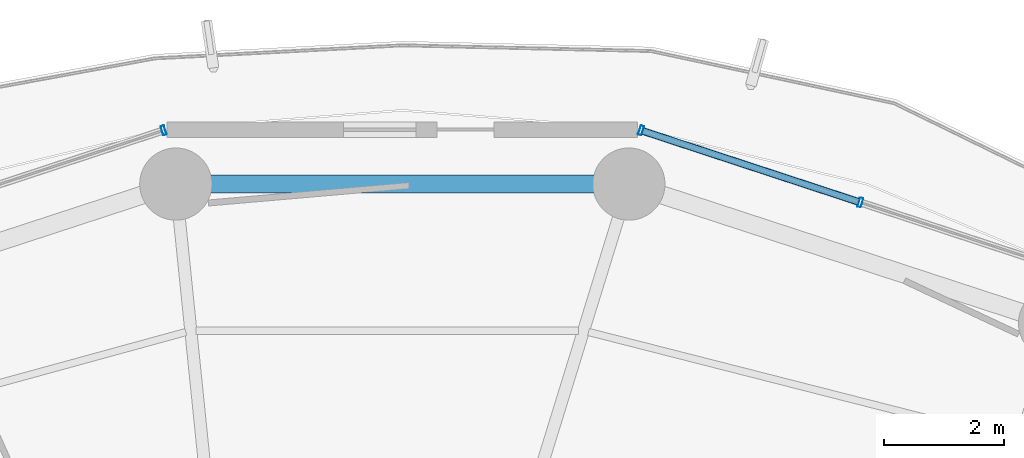
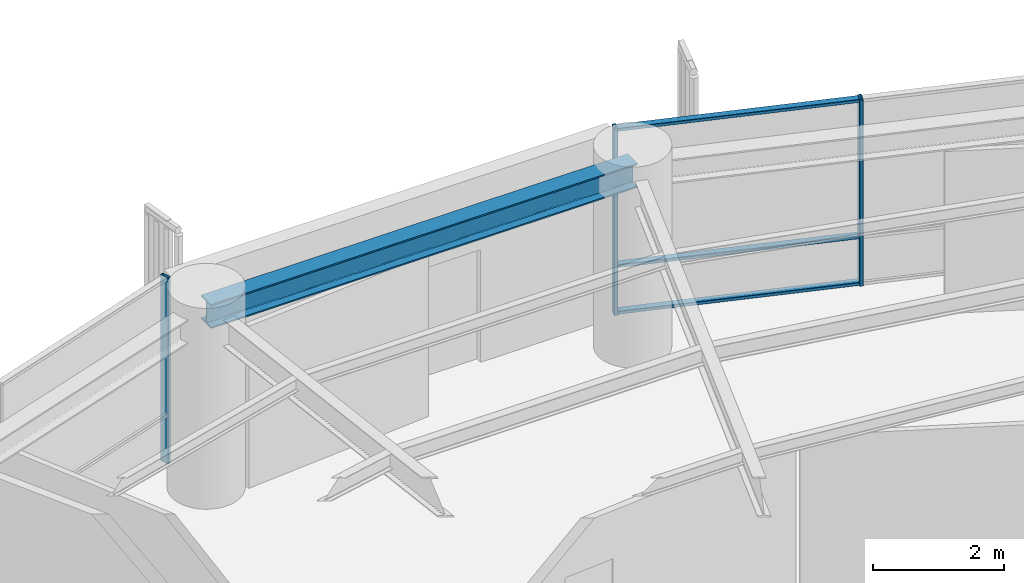
# One storey, part 18 of 28: 6 members, 1 beam, 2 elements without a shape of their own.
"""IFC4 building model written with IfcOpenShell, lengths in metres."""

import ifcopenshell
import ifcopenshell.guid

model = None  # the IFC model being written
_history = None  # IfcOwnerHistory: only IFC2X3 demands one
_inside = {}  # id of a spatial element -> (the spatial element, [elements in it])
_under = {}  # id of a project, library or spatial element -> (it, [spatial elements below it])
_declared = {}  # id of a project -> (the project, [libraries it declares])
_typed = {}  # id of a type object -> (the type object, [elements of that type])
_made_of = {}  # id of a material, layer set ... -> (it, [elements and type objects made of it])


def new_model(schema):
    """Start an empty IFC model of exactly this schema.

    Asked for "IFC4X3", IfcOpenShell would pick the latest addendum, in which some entities
    have other attributes; the version numbers below select the first issue.
    IFC2X3 requires an IfcOwnerHistory on every rooted entity: one is made here for all.
    """
    global model, _history
    if schema == "IFC4X3":
        model = ifcopenshell.file(schema_version=(4, 3, 0, 0))
    else:
        model = ifcopenshell.file(schema=schema)
    _inside.clear()
    _under.clear()
    _declared.clear()
    _typed.clear()
    _made_of.clear()
    _history = None
    if model.schema == "IFC2X3":
        org = make("IfcOrganization", Name="unknown")
        user = make(
            "IfcPersonAndOrganization",
            ThePerson=make("IfcPerson", FamilyName="unknown"),
            TheOrganization=org,
        )
        app = make(
            "IfcApplication",
            ApplicationDeveloper=org,
            Version="unknown",
            ApplicationFullName="unknown",
            ApplicationIdentifier="unknown",
        )
        _history = make(
            "IfcOwnerHistory",
            OwningUser=user,
            OwningApplication=app,
            ChangeAction="ADDED",
            CreationDate=0,
        )
    return model


def make(cls, **values):
    """One entity of the class cls with the attributes given. An attribute that is None is left unset."""
    return model.create_entity(
        cls, **{name: value for name, value in values.items() if value is not None}
    )


def rooted(cls, **values):
    """An entity with a GlobalId (a new one), such as an element, a storey or a relation."""
    return make(cls, GlobalId=ifcopenshell.guid.new(), OwnerHistory=_history, **values)


def si_unit(unit_type, name, prefix=None):
    """IfcSIUnit, for example si_unit("LENGTHUNIT", "METRE", prefix="MILLI")."""
    return make("IfcSIUnit", UnitType=unit_type, Prefix=prefix, Name=name)


def assignment(units):
    """IfcUnitAssignment: the units of a project."""
    return None if units is None else make("IfcUnitAssignment", Units=units)


def point(xyz):
    """IfcCartesianPoint."""
    return None if xyz is None else make("IfcCartesianPoint", Coordinates=xyz)


def direction(xyz):
    """IfcDirection."""
    return None if xyz is None else make("IfcDirection", DirectionRatios=xyz)


def frame(location, z_axis=None, x_axis=None):
    """IfcAxis2Placement3D, a coordinate frame: its origin and axes. An axis left out is left unset."""
    return make(
        "IfcAxis2Placement3D",
        Location=point(location),
        Axis=direction(z_axis),
        RefDirection=direction(x_axis),
    )


def frame_2d(location, x_axis=None):
    """IfcAxis2Placement2D, a coordinate frame in the plane: its origin and x axis."""
    return make(
        "IfcAxis2Placement2D", Location=point(location), RefDirection=direction(x_axis)
    )


def origin():
    """The frame at (0, 0, 0) with its axes left unset."""
    return frame((0.0, 0.0, 0.0))


def origin_2d():
    """The frame at (0, 0) in the plane with its x axis left unset."""
    return frame_2d((0.0, 0.0))


def place(relative_to, where):
    """IfcLocalPlacement: puts the frame where relative to a parent placement (None: the world)."""
    return make(
        "IfcLocalPlacement", PlacementRelTo=relative_to, RelativePlacement=where
    )


def context(
    kind, dimensions, precision=None, world=None, true_north=None, identifier=None
):
    """IfcGeometricRepresentationContext, for example the 3D "Model" context."""
    return make(
        "IfcGeometricRepresentationContext",
        ContextIdentifier=identifier,
        ContextType=kind,
        CoordinateSpaceDimension=dimensions,
        Precision=precision,
        WorldCoordinateSystem=world,
        TrueNorth=true_north,
    )


def subcontext(parent, identifier, kind, view, scale=None):
    """IfcGeometricRepresentationSubContext, for example "Body" below "Model"."""
    return make(
        "IfcGeometricRepresentationSubContext",
        ContextIdentifier=identifier,
        ContextType=kind,
        ParentContext=parent,
        TargetScale=scale,
        TargetView=view,
    )


def project(units=None, contexts=None):
    """IfcProject with its units and contexts."""
    return rooted(
        "IfcProject",
        Name="project",
        RepresentationContexts=contexts,
        UnitsInContext=assignment(units),
    )


def spatial(cls, under=None, at=None, **own):
    """A site, building, storey or space (cls), placed at a placement, below another one or the project."""
    s = rooted(cls, ObjectPlacement=at, **own)
    if under is not None:
        _under.setdefault(under.id(), (under, []))[1].append(s)
    return s


def profile(cls, at=None, kind="AREA", **sizes):
    """A parametric profile (cls). Its sizes go by their IFC names, for example OverallWidth=200.0."""
    return make(cls, ProfileType=kind, Position=at, **sizes)


def hollow_rectangle(**sizes):
    """IfcRectangleHollowProfileDef."""
    return profile("IfcRectangleHollowProfileDef", **sizes)


def i_section(**sizes):
    """IfcIShapeProfileDef."""
    return profile("IfcIShapeProfileDef", **sizes)


def extrude(swept, where, along, depth):
    """IfcExtrudedAreaSolid: the profile swept, set in the frame where, extruded along a direction by depth."""
    return make(
        "IfcExtrudedAreaSolid",
        SweptArea=swept,
        Position=where,
        ExtrudedDirection=direction(along),
        Depth=depth,
    )


def shape(context_of_items, identifier, shape_type, items):
    """IfcShapeRepresentation: the items that make up one representation, for example the "Body"."""
    return make(
        "IfcShapeRepresentation",
        ContextOfItems=context_of_items,
        RepresentationIdentifier=identifier,
        RepresentationType=shape_type,
        Items=items,
    )


def material(Name=None, Category=None):
    """IfcMaterial."""
    return make("IfcMaterial", Name=Name, Category=Category)


def layer(
    of_material, thickness, ventilated=None, Name=None, Category=None, Priority=None
):
    """IfcMaterialLayer: one layer of a wall or slab, of a material (None: an air gap)."""
    return make(
        "IfcMaterialLayer",
        Material=of_material,
        LayerThickness=thickness,
        IsVentilated=ventilated,
        Name=Name,
        Category=Category,
        Priority=Priority,
    )


def layer_set(layers, Name=None):
    """IfcMaterialLayerSet."""
    return make("IfcMaterialLayerSet", MaterialLayers=layers, LayerSetName=Name)


def material_profile(
    of_material, cross_section, Name=None, Category=None, Priority=None
):
    """IfcMaterialProfile: a cross section and its material."""
    return make(
        "IfcMaterialProfile",
        Name=Name,
        Material=of_material,
        Profile=cross_section,
        Priority=Priority,
        Category=Category,
    )


def profile_set(profiles, Name=None, composite=None):
    """IfcMaterialProfileSet."""
    return make(
        "IfcMaterialProfileSet",
        Name=Name,
        MaterialProfiles=profiles,
        CompositeProfile=composite,
    )


def made_of(thing, what):
    """Note that an element or type object is made of a material, layer set ...; save() writes the relation."""
    if what is not None:
        _made_of.setdefault(what.id(), (what, []))[1].append(thing)
    return thing


def type_object(cls, material=None, **own):
    """A type object (cls), such as IfcWallType, which elements share."""
    return made_of(rooted(cls, **own), material)


def element(
    cls,
    number,
    at=None,
    inside=None,
    cuts=None,
    type_object=None,
    material=None,
    context=None,
    identifier="Body",
    shape_type=None,
    held_by="IfcProductDefinitionShape",
    body=None,
    shapes=None,
    **own,
):
    """One element of the class cls, such as IfcWall. Its Tag is "e" and its number.

    at: its placement. inside: the storey or other place that contains it. cuts: it is an
    opening in that element (IfcRelVoidsElement). A single representation is given by context,
    identifier, shape_type and body (its items); several are given by shapes. held_by: the class
    of the entity that holds the representations. save() writes the other relations.
    """
    e = rooted(cls, Tag="e%d" % number, ObjectPlacement=at, **own)
    if body is not None:
        shapes = [shape(context, identifier, shape_type, body)]
    if shapes is not None:
        e.Representation = make(held_by, Representations=shapes)
    if inside is not None:
        _inside.setdefault(inside.id(), (inside, []))[1].append(e)
    if cuts is not None:
        rooted(
            "IfcRelVoidsElement", RelatingBuildingElement=cuts, RelatedOpeningElement=e
        )
    if type_object is not None:
        _typed.setdefault(type_object.id(), (type_object, []))[1].append(e)
    return made_of(e, material)


def aggregate(whole, parts):
    """IfcRelAggregates: a whole, such as a stair, and the parts it consists of."""
    return rooted("IfcRelAggregates", RelatingObject=whole, RelatedObjects=parts)


def save(model, path):
    """Write the relations noted so far, then the file.

    IfcRelAggregates (storeys below a building ...), IfcRelContainedInSpatialStructure (elements
    in a storey), IfcRelDefinesByType, IfcRelAssociatesMaterial and IfcRelDeclares: one each for
    every whole, place, type object, material and project.
    """
    for whole, parts in _under.values():
        aggregate(whole, parts)
    for where, things in _inside.values():
        rooted(
            "IfcRelContainedInSpatialStructure",
            RelatedElements=things,
            RelatingStructure=where,
        )
    for kind, things in _typed.values():
        rooted("IfcRelDefinesByType", RelatedObjects=things, RelatingType=kind)
    for what, things in _made_of.values():
        rooted("IfcRelAssociatesMaterial", RelatedObjects=things, RelatingMaterial=what)
    for by, libraries in _declared.values():
        rooted("IfcRelDeclares", RelatingContext=by, RelatedDefinitions=libraries)
    model.write(path)


model = new_model("IFC4")

# Units and contexts
model_context = context("Model", 3, precision=1e-05, world=origin(), true_north=direction((0.0, 1.0)))
body_context = subcontext(model_context, "Body", "Model", "MODEL_VIEW")
ifc_project = project(units=[si_unit("LENGTHUNIT", "METRE"), si_unit("AREAUNIT", "SQUARE_METRE"), si_unit("VOLUMEUNIT", "CUBIC_METRE"), si_unit("PLANEANGLEUNIT", "RADIAN"), si_unit("MASSUNIT", "GRAM", prefix="KILO")], contexts=[model_context])

# Site, building, storey
site_placement = place(None, origin())
site = spatial("IfcSite", under=ifc_project, at=site_placement, CompositionType="ELEMENT")
building_placement = place(site_placement, origin())
building = spatial("IfcBuilding", under=site, at=building_placement, Name="Kelanora Arch Commons", CompositionType="ELEMENT")
storey_placement = place(building_placement, frame((0.0, 0.0, 180.60009765625)))
storey = spatial("IfcBuildingStorey", under=building, at=storey_placement, Name="L46", CompositionType="ELEMENT", Elevation=180.60009765625)

# Beam
ifc_material_1 = material(Name="Steel S355", Category="steel")
ifc_material_profile_1 = material_profile(ifc_material_1, i_section(OverallWidth=0.300048828125, OverallDepth=0.449951171875, WebThickness=0.013916015625, FlangeThickness=0.02587890625, FilletRadius=0.027099609375, at=origin_2d()), Name="HEB450")
ifc_profile_set_1 = profile_set([ifc_material_profile_1], Name="Steel S355")
beam_type = type_object("IfcBeamType", Name="BM-SPN-Z3", PredefinedType="SPANDREL", material=ifc_profile_set_1)
beam_placement = place(storey_placement, frame((77.7646484375, 77.18408203125, 3.264892578125), z_axis=(-1.0, 0.0, 0.0), x_axis=(0.0, -1.0, 0.0)))
element("IfcBeam", 1, at=beam_placement, inside=storey, type_object=beam_type, Name="Perimeter Spandrel Beam BS-08 L46", PredefinedType="SPANDREL", context=body_context, shape_type="SweptSolid", body=[
    extrude(i_section(OverallWidth=0.300048828125, OverallDepth=0.449951171875, WebThickness=0.013916015625, FlangeThickness=0.02587890625, FilletRadius=0.027099609375, at=origin_2d()), origin(), (0.0, 0.0, 1.0), 7.529296875),
])

# Curtain wall, members
ifc_material_2 = material(Name="Terracotta ceramic-fritted low-E glass and aluminium", Category="masonry")
ifc_layer = layer(ifc_material_2, 0.175048828125)
ifc_layer_set = layer_set([ifc_layer], Name="Terracotta ceramic-fritted low-E glass and aluminium")
curtain_wall_type = type_object("IfcCurtainWallType", Name="CW-SYS-02", PredefinedType="NOTDEFINED", material=ifc_layer_set)
curtain_wall_1_placement = place(storey_placement, origin())
curtain_wall_1 = element("IfcCurtainWall", 2, at=curtain_wall_1_placement, inside=storey, type_object=curtain_wall_type, Name="Unitised Curtain Wall L46-B03", PredefinedType="NOTDEFINED")
ifc_material_3 = material(Name="Powder-coated aluminium terracotta", Category="masonry")
ifc_material_profile_2 = material_profile(ifc_material_3, hollow_rectangle(XDim=0.159912109375, YDim=0.06005859375, WallThickness=0.0048828125, InnerFilletRadius=0.0048828125, OuterFilletRadius=0.010009765625, at=origin_2d()), Name="CWM160x60")
ifc_profile_set_2 = profile_set([ifc_material_profile_2], Name="Powder-coated aluminium terracotta")
member_type_1 = type_object("IfcMemberType", Name="CWM-STD", PredefinedType="MULLION", material=ifc_profile_set_2)
member_1_placement = place(storey_placement, frame((81.6123046875, 76.87841796875, 0.0), z_axis=(0.0, 0.0, 1.0), x_axis=(-0.312128279571, -0.95003996605, 0.0)))
member_1 = element("IfcMember", 3, at=member_1_placement, type_object=member_type_1, Name="CW-02 mullion 2", PredefinedType="MULLION", context=body_context, shape_type="SweptSolid", body=[
    extrude(hollow_rectangle(XDim=0.159912109375, YDim=0.06005859375, WallThickness=0.0048828125, InnerFilletRadius=0.0048828125, OuterFilletRadius=0.010009765625, at=origin_2d()), origin(), (0.0, 0.0, 1.0), 3.474853515625),
])
member_2_placement = place(storey_placement, frame((77.96728515625, 78.075927734375, 0.0), z_axis=(0.0, 0.0, 1.0), x_axis=(-0.312128279571, -0.95003996605, 0.0)))
member_2 = element("IfcMember", 4, at=member_2_placement, type_object=member_type_1, Name="CW-02 mullion 3", PredefinedType="MULLION", context=body_context, shape_type="SweptSolid", body=[
    extrude(hollow_rectangle(XDim=0.159912109375, YDim=0.06005859375, WallThickness=0.0048828125, InnerFilletRadius=0.0048828125, OuterFilletRadius=0.010009765625, at=origin_2d()), origin(), (0.0, 0.0, 1.0), 3.474853515625),
])

# Curtain wall, member
curtain_wall_2_placement = place(storey_placement, origin())
curtain_wall_2 = element("IfcCurtainWall", 5, at=curtain_wall_2_placement, inside=storey, type_object=curtain_wall_type, Name="Unitised Curtain Wall L46-B05", PredefinedType="NOTDEFINED")
member_3_placement = place(storey_placement, frame((70.03271484375, 78.075927734375, 0.0), z_axis=(0.0, 0.0, 1.0), x_axis=(0.312128279571, -0.95003996605, 0.0)))
member_3 = element("IfcMember", 6, at=member_3_placement, type_object=member_type_1, Name="CW-02 mullion 1", PredefinedType="MULLION", context=body_context, shape_type="SweptSolid", body=[
    extrude(hollow_rectangle(XDim=0.159912109375, YDim=0.06005859375, WallThickness=0.0048828125, InnerFilletRadius=0.0048828125, OuterFilletRadius=0.010009765625, at=origin_2d()), origin(), (0.0, 0.0, 1.0), 3.474853515625),
])
aggregate(curtain_wall_2, [member_3])

# Member
ifc_material_profile_3 = material_profile(ifc_material_3, hollow_rectangle(XDim=0.1201171875, YDim=0.06005859375, WallThickness=0.0048828125, InnerFilletRadius=0.0048828125, OuterFilletRadius=0.010009765625, at=origin_2d()), Name="CWT120x60")
ifc_profile_set_3 = profile_set([ifc_material_profile_3], Name="Powder-coated aluminium terracotta")
member_type_2 = type_object("IfcMemberType", Name="CWT-STD", PredefinedType="USERDEFINED", material=ifc_profile_set_3)
member_4_placement = place(storey_placement, frame((81.583740234375, 76.887939453125, 0.02978515625), z_axis=(-0.950051191155, 0.312094111104, 0.0), x_axis=(-0.312094111104, -0.950051191155, 0.0)))
member_4 = element("IfcMember", 7, at=member_4_placement, type_object=member_type_2, Name="CW-02 transom 2.1", ObjectType="TRANSOM", PredefinedType="USERDEFINED", context=body_context, shape_type="SweptSolid", body=[
    extrude(hollow_rectangle(XDim=0.1201171875, YDim=0.06005859375, WallThickness=0.0048828125, InnerFilletRadius=0.0048828125, OuterFilletRadius=0.010009765625, at=origin_2d()), origin(), (0.0, 0.0, 1.0), 3.77685546875),
])

member_5_placement = place(storey_placement, frame((81.583740234375, 76.887939453125, 0.89990234375), z_axis=(-0.950051191155, 0.312094111104, 0.0), x_axis=(-0.312094111104, -0.950051191155, 0.0)))
member_5 = element("IfcMember", 8, at=member_5_placement, type_object=member_type_2, Name="CW-02 transom 2.2", ObjectType="TRANSOM", PredefinedType="USERDEFINED", context=body_context, shape_type="SweptSolid", body=[
    extrude(hollow_rectangle(XDim=0.1201171875, YDim=0.06005859375, WallThickness=0.0048828125, InnerFilletRadius=0.0048828125, OuterFilletRadius=0.010009765625, at=origin_2d()), origin(), (0.0, 0.0, 1.0), 3.77685546875),
])

member_6_placement = place(storey_placement, frame((81.583740234375, 76.887939453125, 3.44482421875), z_axis=(-0.950051191155, 0.312094111104, 0.0), x_axis=(-0.312094111104, -0.950051191155, 0.0)))
member_6 = element("IfcMember", 9, at=member_6_placement, type_object=member_type_2, Name="CW-02 transom 2.3", ObjectType="TRANSOM", PredefinedType="USERDEFINED", context=body_context, shape_type="SweptSolid", body=[
    extrude(hollow_rectangle(XDim=0.1201171875, YDim=0.06005859375, WallThickness=0.0048828125, InnerFilletRadius=0.0048828125, OuterFilletRadius=0.010009765625, at=origin_2d()), origin(), (0.0, 0.0, 1.0), 3.77685546875),
])

aggregate(curtain_wall_1, [member_1, member_2, member_4, member_5, member_6])

save(model, "model.ifc")
